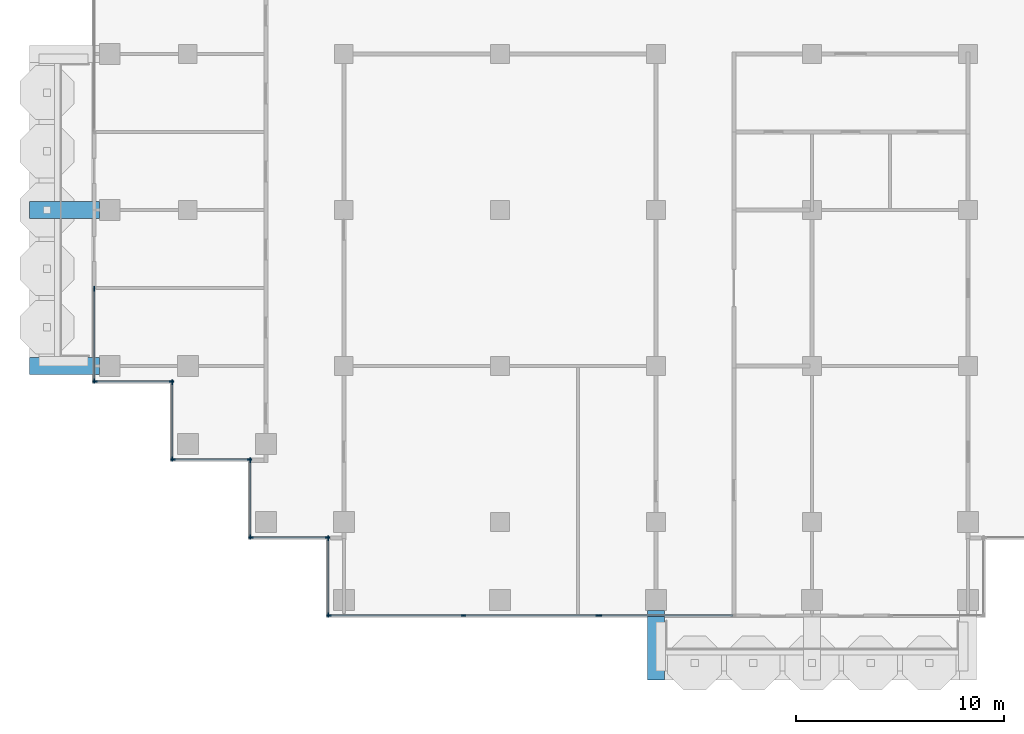
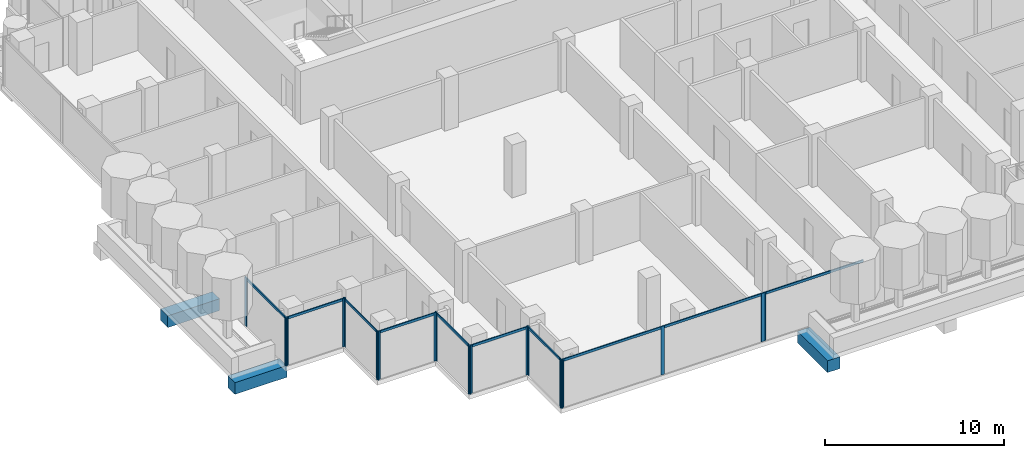
# One storey, part 2 of 19: 28 members, 3 beams, 9 elements without a shape of their own.
"""IFC4 building model written with IfcOpenShell, lengths in metres."""

from ifc_helpers import new_model, si_unit, direction, frame, origin, origin_2d, place, context, subcontext, project, spatial, rectangle, extrude, material, material_profile, profile_set, type_object, element, aggregate, save


model = new_model("IFC4")

# Units and contexts
model_context = context("Model", 3, precision=1e-05, world=origin(), true_north=direction((0.0, 1.0)))
body_context = subcontext(model_context, "Body", "Model", "MODEL_VIEW")
ifc_project = project(units=[si_unit("LENGTHUNIT", "METRE"), si_unit("AREAUNIT", "SQUARE_METRE"), si_unit("VOLUMEUNIT", "CUBIC_METRE"), si_unit("PLANEANGLEUNIT", "RADIAN"), si_unit("MASSUNIT", "GRAM", prefix="KILO")], contexts=[model_context])

# Site, building, storey
site_placement = place(None, origin())
site = spatial("IfcSite", under=ifc_project, at=site_placement, CompositionType="ELEMENT")
building_placement = place(site_placement, origin())
building = spatial("IfcBuilding", under=site, at=building_placement, Name="Pilkhan Gate Tower", CompositionType="ELEMENT")
storey_placement = place(building_placement, frame((0.0, 0.0, 217.5)))
storey = spatial("IfcBuildingStorey", under=building, at=storey_placement, Name="L56", CompositionType="ELEMENT", Elevation=217.5)

# Beams
ifc_material_1 = material(Name="Concrete C50/60", Category="concrete")
ifc_material_profile_1 = material_profile(ifc_material_1, rectangle(XDim=0.800048828125, YDim=0.800048828125, at=origin_2d()), Name="RC 800x800")
ifc_profile_set_1 = profile_set([ifc_material_profile_1], Name="Concrete C50/60")
beam_type = type_object("IfcBeamType", Name="Cantilever beam CB2 RC 800x800 C50/60", PredefinedType="BEAM", material=ifc_profile_set_1)
for number, where, z_axis, x_axis, name in (
    (1, (75.0, 40.75, -0.699951171875), (0.0, -1.0, 0.0), (1.0, 0.0, 0.0), "Balcony beam S.1 L56"),
    (2, (48.25, 52.5, -0.699951171875), (-1.0, 0.0, 0.0), (0.0, -1.0, 0.0), "Balcony beam W.1 L56"),
    (3, (48.25, 60.0, -0.699951171875), (-1.0, 0.0, 0.0), (0.0, -1.0, 0.0), "Balcony beam W.2 L56"),
):
    element("IfcBeam", number, at=place(storey_placement, frame(where, z_axis=z_axis, x_axis=x_axis)), inside=storey, type_object=beam_type, Name=name, PredefinedType="BEAM", context=body_context, shape_type="SweptSolid", body=[
        extrude(rectangle(XDim=0.800048828125, YDim=0.800048828125, at=origin_2d()), origin(), (0.0, 0.0, 1.0), 3.35009765625),
    ])

# Curtain wall, members
ifc_material_2 = material(Name="Pale anodised aluminium, clear low-iron double glazing", Category="aluminium")
curtain_wall_type = type_object("IfcCurtainWallType", Name="Office unitised curtain wall CW-O2", PredefinedType="USERDEFINED", material=ifc_material_2)
curtain_wall_1_placement = place(storey_placement, origin())
curtain_wall_1 = element("IfcCurtainWall", 4, at=curtain_wall_1_placement, inside=storey, type_object=curtain_wall_type, Name="Office unitised curtain wall CW-O2 L56 W", ObjectType="UNITISED CURTAIN WALL", PredefinedType="USERDEFINED")
ifc_material_3 = material(Name="Pale anodised aluminium", Category="aluminium")
ifc_material_profile_2 = material_profile(ifc_material_3, rectangle(XDim=0.06494140625, YDim=0.22509765625, at=origin_2d()), Name="Mullion 225x65")
ifc_profile_set_2 = profile_set([ifc_material_profile_2], Name="Pale anodised aluminium")
member_type_1 = type_object("IfcMemberType", Name="Mullion CW-O2 225x65", PredefinedType="MULLION", material=ifc_profile_set_2)
member_1_placement = place(storey_placement, frame((48.0, 51.782470703125, 0.0), z_axis=(0.0, 0.0, 1.0), x_axis=(-1.0, 0.0, 0.0)))
member_1 = element("IfcMember", 5, at=member_1_placement, type_object=member_type_1, Name="CW-O2 mullion 1", PredefinedType="MULLION", context=body_context, shape_type="SweptSolid", body=[
    extrude(rectangle(XDim=0.06494140625, YDim=0.22509765625, at=origin_2d()), origin(), (0.0, 0.0, 1.0), 3.300048828125),
])
member_2_placement = place(storey_placement, frame((48.0, 56.217529296875, 0.0), z_axis=(0.0, 0.0, 1.0), x_axis=(-1.0, 0.0, 0.0)))
member_2 = element("IfcMember", 6, at=member_2_placement, type_object=member_type_1, Name="CW-O2 mullion 2", PredefinedType="MULLION", context=body_context, shape_type="SweptSolid", body=[
    extrude(rectangle(XDim=0.06494140625, YDim=0.22509765625, at=origin_2d()), origin(), (0.0, 0.0, 1.0), 3.300048828125),
])

curtain_wall_2_placement = place(storey_placement, origin())
curtain_wall_2 = element("IfcCurtainWall", 7, at=curtain_wall_2_placement, inside=storey, type_object=curtain_wall_type, Name="Office unitised curtain wall CW-O2 L56 S", ObjectType="UNITISED CURTAIN WALL", PredefinedType="USERDEFINED")
member_3_placement = place(storey_placement, frame((48.032470703125, 51.75, 0.0), z_axis=(0.0, 0.0, 1.0), x_axis=(0.0, 1.0, 0.0)))
member_3 = element("IfcMember", 8, at=member_3_placement, type_object=member_type_1, Name="CW-O2 mullion 1", PredefinedType="MULLION", context=body_context, shape_type="SweptSolid", body=[
    extrude(rectangle(XDim=0.06494140625, YDim=0.22509765625, at=origin_2d()), origin(), (0.0, 0.0, 1.0), 3.300048828125),
])
member_4_placement = place(storey_placement, frame((51.717529296875, 51.75, 0.0), z_axis=(0.0, 0.0, 1.0), x_axis=(0.0, 1.0, 0.0)))
member_4 = element("IfcMember", 9, at=member_4_placement, type_object=member_type_1, Name="CW-O2 mullion 2", PredefinedType="MULLION", context=body_context, shape_type="SweptSolid", body=[
    extrude(rectangle(XDim=0.06494140625, YDim=0.22509765625, at=origin_2d()), origin(), (0.0, 0.0, 1.0), 3.300048828125),
])

curtain_wall_3_placement = place(storey_placement, origin())
curtain_wall_3 = element("IfcCurtainWall", 10, at=curtain_wall_3_placement, inside=storey, type_object=curtain_wall_type, Name="Office unitised curtain wall CW-O2 L56 W", ObjectType="UNITISED CURTAIN WALL", PredefinedType="USERDEFINED")
member_5_placement = place(storey_placement, frame((51.75, 48.032470703125, 0.0), z_axis=(0.0, 0.0, 1.0), x_axis=(-1.0, 0.0, 0.0)))
member_5 = element("IfcMember", 11, at=member_5_placement, type_object=member_type_1, Name="CW-O2 mullion 1", PredefinedType="MULLION", context=body_context, shape_type="SweptSolid", body=[
    extrude(rectangle(XDim=0.06494140625, YDim=0.22509765625, at=origin_2d()), origin(), (0.0, 0.0, 1.0), 3.300048828125),
])
member_6_placement = place(storey_placement, frame((51.75, 51.717529296875, 0.0), z_axis=(0.0, 0.0, 1.0), x_axis=(-1.0, 0.0, 0.0)))
member_6 = element("IfcMember", 12, at=member_6_placement, type_object=member_type_1, Name="CW-O2 mullion 2", PredefinedType="MULLION", context=body_context, shape_type="SweptSolid", body=[
    extrude(rectangle(XDim=0.06494140625, YDim=0.22509765625, at=origin_2d()), origin(), (0.0, 0.0, 1.0), 3.300048828125),
])

curtain_wall_4_placement = place(storey_placement, origin())
curtain_wall_4 = element("IfcCurtainWall", 13, at=curtain_wall_4_placement, inside=storey, type_object=curtain_wall_type, Name="Office unitised curtain wall CW-O2 L56 S", ObjectType="UNITISED CURTAIN WALL", PredefinedType="USERDEFINED")
member_7_placement = place(storey_placement, frame((51.782470703125, 48.0, 0.0), z_axis=(0.0, 0.0, 1.0), x_axis=(0.0, 1.0, 0.0)))
member_7 = element("IfcMember", 14, at=member_7_placement, type_object=member_type_1, Name="CW-O2 mullion 1", PredefinedType="MULLION", context=body_context, shape_type="SweptSolid", body=[
    extrude(rectangle(XDim=0.06494140625, YDim=0.22509765625, at=origin_2d()), origin(), (0.0, 0.0, 1.0), 3.300048828125),
])
member_8_placement = place(storey_placement, frame((55.467529296875, 48.0, 0.0), z_axis=(0.0, 0.0, 1.0), x_axis=(0.0, 1.0, 0.0)))
member_8 = element("IfcMember", 15, at=member_8_placement, type_object=member_type_1, Name="CW-O2 mullion 2", PredefinedType="MULLION", context=body_context, shape_type="SweptSolid", body=[
    extrude(rectangle(XDim=0.06494140625, YDim=0.22509765625, at=origin_2d()), origin(), (0.0, 0.0, 1.0), 3.300048828125),
])

curtain_wall_5_placement = place(storey_placement, origin())
curtain_wall_5 = element("IfcCurtainWall", 16, at=curtain_wall_5_placement, inside=storey, type_object=curtain_wall_type, Name="Office unitised curtain wall CW-O2 L56 W", ObjectType="UNITISED CURTAIN WALL", PredefinedType="USERDEFINED")
member_9_placement = place(storey_placement, frame((55.5, 44.282470703125, 0.0), z_axis=(0.0, 0.0, 1.0), x_axis=(-1.0, 0.0, 0.0)))
member_9 = element("IfcMember", 17, at=member_9_placement, type_object=member_type_1, Name="CW-O2 mullion 1", PredefinedType="MULLION", context=body_context, shape_type="SweptSolid", body=[
    extrude(rectangle(XDim=0.06494140625, YDim=0.22509765625, at=origin_2d()), origin(), (0.0, 0.0, 1.0), 3.300048828125),
])
member_10_placement = place(storey_placement, frame((55.5, 47.967529296875, 0.0), z_axis=(0.0, 0.0, 1.0), x_axis=(-1.0, 0.0, 0.0)))
member_10 = element("IfcMember", 18, at=member_10_placement, type_object=member_type_1, Name="CW-O2 mullion 2", PredefinedType="MULLION", context=body_context, shape_type="SweptSolid", body=[
    extrude(rectangle(XDim=0.06494140625, YDim=0.22509765625, at=origin_2d()), origin(), (0.0, 0.0, 1.0), 3.300048828125),
])

curtain_wall_6_placement = place(storey_placement, origin())
curtain_wall_6 = element("IfcCurtainWall", 19, at=curtain_wall_6_placement, inside=storey, type_object=curtain_wall_type, Name="Office unitised curtain wall CW-O2 L56 S", ObjectType="UNITISED CURTAIN WALL", PredefinedType="USERDEFINED")
member_11_placement = place(storey_placement, frame((55.532470703125, 44.25, 0.0), z_axis=(0.0, 0.0, 1.0), x_axis=(0.0, 1.0, 0.0)))
member_11 = element("IfcMember", 20, at=member_11_placement, type_object=member_type_1, Name="CW-O2 mullion 1", PredefinedType="MULLION", context=body_context, shape_type="SweptSolid", body=[
    extrude(rectangle(XDim=0.06494140625, YDim=0.22509765625, at=origin_2d()), origin(), (0.0, 0.0, 1.0), 3.300048828125),
])
member_12_placement = place(storey_placement, frame((59.217529296875, 44.25, 0.0), z_axis=(0.0, 0.0, 1.0), x_axis=(0.0, 1.0, 0.0)))
member_12 = element("IfcMember", 21, at=member_12_placement, type_object=member_type_1, Name="CW-O2 mullion 2", PredefinedType="MULLION", context=body_context, shape_type="SweptSolid", body=[
    extrude(rectangle(XDim=0.06494140625, YDim=0.22509765625, at=origin_2d()), origin(), (0.0, 0.0, 1.0), 3.300048828125),
])

curtain_wall_7_placement = place(storey_placement, origin())
curtain_wall_7 = element("IfcCurtainWall", 22, at=curtain_wall_7_placement, inside=storey, type_object=curtain_wall_type, Name="Office unitised curtain wall CW-O2 L56 W", ObjectType="UNITISED CURTAIN WALL", PredefinedType="USERDEFINED")
member_13_placement = place(storey_placement, frame((59.25, 40.532470703125, 0.0), z_axis=(0.0, 0.0, 1.0), x_axis=(-1.0, 0.0, 0.0)))
member_13 = element("IfcMember", 23, at=member_13_placement, type_object=member_type_1, Name="CW-O2 mullion 1", PredefinedType="MULLION", context=body_context, shape_type="SweptSolid", body=[
    extrude(rectangle(XDim=0.06494140625, YDim=0.22509765625, at=origin_2d()), origin(), (0.0, 0.0, 1.0), 3.300048828125),
])
member_14_placement = place(storey_placement, frame((59.25, 44.217529296875, 0.0), z_axis=(0.0, 0.0, 1.0), x_axis=(-1.0, 0.0, 0.0)))
member_14 = element("IfcMember", 24, at=member_14_placement, type_object=member_type_1, Name="CW-O2 mullion 2", PredefinedType="MULLION", context=body_context, shape_type="SweptSolid", body=[
    extrude(rectangle(XDim=0.06494140625, YDim=0.22509765625, at=origin_2d()), origin(), (0.0, 0.0, 1.0), 3.300048828125),
])

curtain_wall_8_placement = place(storey_placement, origin())
curtain_wall_8 = element("IfcCurtainWall", 25, at=curtain_wall_8_placement, inside=storey, type_object=curtain_wall_type, Name="Office unitised curtain wall CW-O2 L56 S", ObjectType="UNITISED CURTAIN WALL", PredefinedType="USERDEFINED")
member_15_placement = place(storey_placement, frame((59.282470703125, 40.5, 0.0), z_axis=(0.0, 0.0, 1.0), x_axis=(0.0, 1.0, 0.0)))
member_15 = element("IfcMember", 26, at=member_15_placement, type_object=member_type_1, Name="CW-O2 mullion 1", PredefinedType="MULLION", context=body_context, shape_type="SweptSolid", body=[
    extrude(rectangle(XDim=0.06494140625, YDim=0.22509765625, at=origin_2d()), origin(), (0.0, 0.0, 1.0), 3.300048828125),
])
member_16_placement = place(storey_placement, frame((65.75, 40.5, 0.0), z_axis=(0.0, 0.0, 1.0), x_axis=(0.0, 1.0, 0.0)))
member_16 = element("IfcMember", 27, at=member_16_placement, type_object=member_type_1, Name="CW-O2 mullion 2", PredefinedType="MULLION", context=body_context, shape_type="SweptSolid", body=[
    extrude(rectangle(XDim=0.06494140625, YDim=0.22509765625, at=origin_2d()), origin(), (0.0, 0.0, 1.0), 3.300048828125),
])
member_17_placement = place(storey_placement, frame((72.217529296875, 40.5, 0.0), z_axis=(0.0, 0.0, 1.0), x_axis=(0.0, 1.0, 0.0)))
member_17 = element("IfcMember", 28, at=member_17_placement, type_object=member_type_1, Name="CW-O2 mullion 3", PredefinedType="MULLION", context=body_context, shape_type="SweptSolid", body=[
    extrude(rectangle(XDim=0.06494140625, YDim=0.22509765625, at=origin_2d()), origin(), (0.0, 0.0, 1.0), 3.300048828125),
])

# Curtain wall, member
curtain_wall_9_placement = place(storey_placement, origin())
curtain_wall_9 = element("IfcCurtainWall", 29, at=curtain_wall_9_placement, inside=storey, type_object=curtain_wall_type, Name="Office unitised curtain wall CW-O2 L56 S", ObjectType="UNITISED CURTAIN WALL", PredefinedType="USERDEFINED")
member_18_placement = place(storey_placement, frame((72.282470703125, 40.5, 0.0), z_axis=(0.0, 0.0, 1.0), x_axis=(0.0, 1.0, 0.0)))
member_18 = element("IfcMember", 30, at=member_18_placement, type_object=member_type_1, Name="CW-O2 mullion 1", PredefinedType="MULLION", context=body_context, shape_type="SweptSolid", body=[
    extrude(rectangle(XDim=0.06494140625, YDim=0.22509765625, at=origin_2d()), origin(), (0.0, 0.0, 1.0), 3.300048828125),
])

# Member
ifc_material_profile_3 = material_profile(ifc_material_3, rectangle(XDim=0.06494140625, YDim=0.1650390625, at=origin_2d()), Name="Transom 165x65")
ifc_profile_set_3 = profile_set([ifc_material_profile_3], Name="Pale anodised aluminium")
member_type_2 = type_object("IfcMemberType", Name="Transom CW-O2 165x65", PredefinedType="USERDEFINED", material=ifc_profile_set_3)
member_19_placement = place(storey_placement, frame((48.0, 51.81494140625, 3.217529296875), z_axis=(0.0, 1.0, 0.0), x_axis=(-1.0, 0.0, 0.0)))
member_19 = element("IfcMember", 31, at=member_19_placement, type_object=member_type_2, Name="CW-O2 transom 1", ObjectType="TRANSOM", PredefinedType="USERDEFINED", context=body_context, shape_type="SweptSolid", body=[
    extrude(rectangle(XDim=0.06494140625, YDim=0.1650390625, at=origin_2d()), origin(), (0.0, 0.0, 1.0), 4.3701171875),
])

aggregate(curtain_wall_1, [member_1, member_2, member_19])

member_20_placement = place(storey_placement, frame((48.06494140625, 51.75, 3.217529296875), z_axis=(1.0, 0.0, 0.0), x_axis=(0.0, 1.0, 0.0)))
member_20 = element("IfcMember", 32, at=member_20_placement, type_object=member_type_2, Name="CW-O2 transom 1", ObjectType="TRANSOM", PredefinedType="USERDEFINED", context=body_context, shape_type="SweptSolid", body=[
    extrude(rectangle(XDim=0.06494140625, YDim=0.1650390625, at=origin_2d()), origin(), (0.0, 0.0, 1.0), 3.6201171875),
])

aggregate(curtain_wall_2, [member_3, member_4, member_20])

member_21_placement = place(storey_placement, frame((51.75, 48.06494140625, 3.217529296875), z_axis=(0.0, 1.0, 0.0), x_axis=(-1.0, 0.0, 0.0)))
member_21 = element("IfcMember", 33, at=member_21_placement, type_object=member_type_2, Name="CW-O2 transom 1", ObjectType="TRANSOM", PredefinedType="USERDEFINED", context=body_context, shape_type="SweptSolid", body=[
    extrude(rectangle(XDim=0.06494140625, YDim=0.1650390625, at=origin_2d()), origin(), (0.0, 0.0, 1.0), 3.6201171875),
])

aggregate(curtain_wall_3, [member_5, member_6, member_21])

member_22_placement = place(storey_placement, frame((51.81494140625, 48.0, 3.217529296875), z_axis=(1.0, 0.0, 0.0), x_axis=(0.0, 1.0, 0.0)))
member_22 = element("IfcMember", 34, at=member_22_placement, type_object=member_type_2, Name="CW-O2 transom 1", ObjectType="TRANSOM", PredefinedType="USERDEFINED", context=body_context, shape_type="SweptSolid", body=[
    extrude(rectangle(XDim=0.06494140625, YDim=0.1650390625, at=origin_2d()), origin(), (0.0, 0.0, 1.0), 3.6201171875),
])

aggregate(curtain_wall_4, [member_7, member_8, member_22])

member_23_placement = place(storey_placement, frame((55.5, 44.31494140625, 3.217529296875), z_axis=(0.0, 1.0, 0.0), x_axis=(-1.0, 0.0, 0.0)))
member_23 = element("IfcMember", 35, at=member_23_placement, type_object=member_type_2, Name="CW-O2 transom 1", ObjectType="TRANSOM", PredefinedType="USERDEFINED", context=body_context, shape_type="SweptSolid", body=[
    extrude(rectangle(XDim=0.06494140625, YDim=0.1650390625, at=origin_2d()), origin(), (0.0, 0.0, 1.0), 3.6201171875),
])

aggregate(curtain_wall_5, [member_9, member_10, member_23])

member_24_placement = place(storey_placement, frame((55.56494140625, 44.25, 3.217529296875), z_axis=(1.0, 0.0, 0.0), x_axis=(0.0, 1.0, 0.0)))
member_24 = element("IfcMember", 36, at=member_24_placement, type_object=member_type_2, Name="CW-O2 transom 1", ObjectType="TRANSOM", PredefinedType="USERDEFINED", context=body_context, shape_type="SweptSolid", body=[
    extrude(rectangle(XDim=0.06494140625, YDim=0.1650390625, at=origin_2d()), origin(), (0.0, 0.0, 1.0), 3.6201171875),
])

aggregate(curtain_wall_6, [member_11, member_12, member_24])

member_25_placement = place(storey_placement, frame((59.25, 40.56494140625, 3.217529296875), z_axis=(0.0, 1.0, 0.0), x_axis=(-1.0, 0.0, 0.0)))
member_25 = element("IfcMember", 37, at=member_25_placement, type_object=member_type_2, Name="CW-O2 transom 1", ObjectType="TRANSOM", PredefinedType="USERDEFINED", context=body_context, shape_type="SweptSolid", body=[
    extrude(rectangle(XDim=0.06494140625, YDim=0.1650390625, at=origin_2d()), origin(), (0.0, 0.0, 1.0), 3.6201171875),
])

aggregate(curtain_wall_7, [member_13, member_14, member_25])

member_26_placement = place(storey_placement, frame((59.31494140625, 40.5, 3.217529296875), z_axis=(1.0, 0.0, 0.0), x_axis=(0.0, 1.0, 0.0)))
member_26 = element("IfcMember", 38, at=member_26_placement, type_object=member_type_2, Name="CW-O2 transom 1", ObjectType="TRANSOM", PredefinedType="USERDEFINED", context=body_context, shape_type="SweptSolid", body=[
    extrude(rectangle(XDim=0.06494140625, YDim=0.1650390625, at=origin_2d()), origin(), (0.0, 0.0, 1.0), 6.402587890625),
])

member_27_placement = place(storey_placement, frame((65.782470703125, 40.5, 3.217529296875), z_axis=(1.0, 0.0, 0.0), x_axis=(0.0, 1.0, 0.0)))
member_27 = element("IfcMember", 39, at=member_27_placement, type_object=member_type_2, Name="CW-O2 transom 2", ObjectType="TRANSOM", PredefinedType="USERDEFINED", context=body_context, shape_type="SweptSolid", body=[
    extrude(rectangle(XDim=0.06494140625, YDim=0.1650390625, at=origin_2d()), origin(), (0.0, 0.0, 1.0), 6.402587890625),
])

aggregate(curtain_wall_8, [member_15, member_16, member_17, member_26, member_27])

member_28_placement = place(storey_placement, frame((72.31494140625, 40.5, 3.217529296875), z_axis=(1.0, 0.0, 0.0), x_axis=(0.0, 1.0, 0.0)))
member_28 = element("IfcMember", 40, at=member_28_placement, type_object=member_type_2, Name="CW-O2 transom 1", ObjectType="TRANSOM", PredefinedType="USERDEFINED", context=body_context, shape_type="SweptSolid", body=[
    extrude(rectangle(XDim=0.06494140625, YDim=0.1650390625, at=origin_2d()), origin(), (0.0, 0.0, 1.0), 6.3701171875),
])

aggregate(curtain_wall_9, [member_18, member_28])

save(model, "model.ifc")
